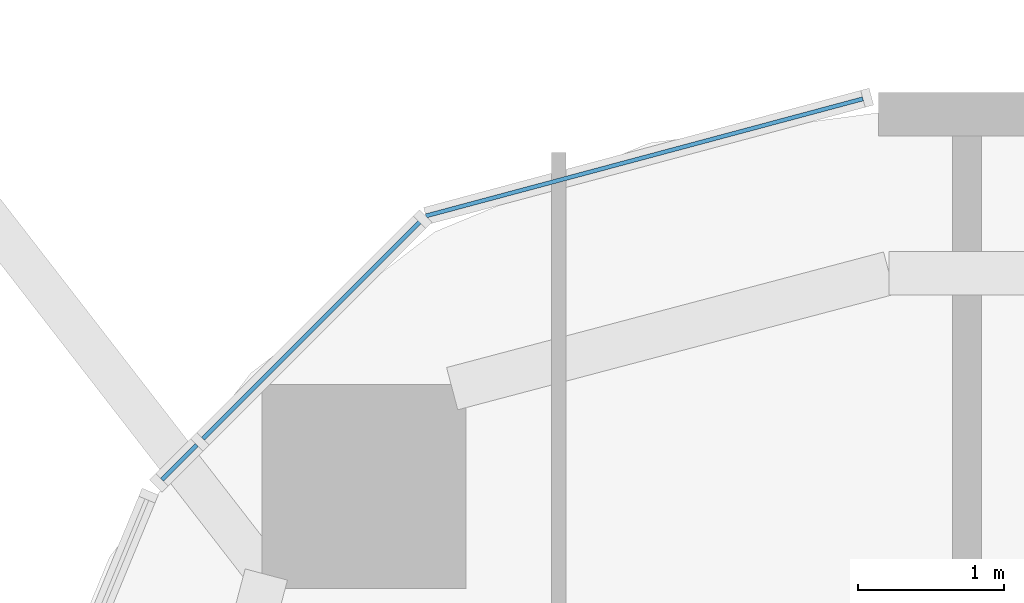
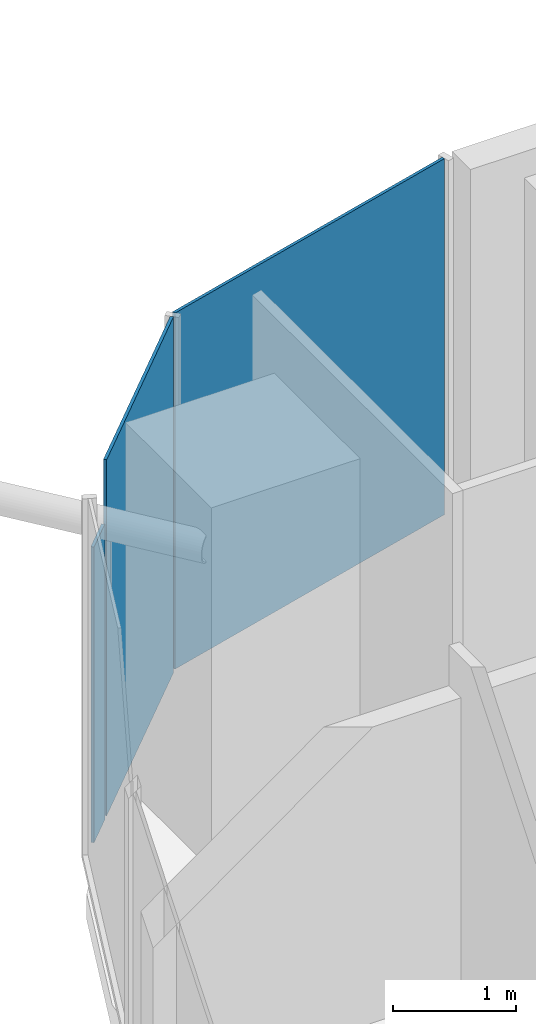
# One storey, part 18 of 28: 3 plates, 3 elements without a shape of their own.
"""IFC4 building model written with IfcOpenShell, lengths in metres."""

import ifcopenshell
import ifcopenshell.guid

model = None  # the IFC model being written
_history = None  # IfcOwnerHistory: only IFC2X3 demands one
_inside = {}  # id of a spatial element -> (the spatial element, [elements in it])
_under = {}  # id of a project, library or spatial element -> (it, [spatial elements below it])
_declared = {}  # id of a project -> (the project, [libraries it declares])
_typed = {}  # id of a type object -> (the type object, [elements of that type])
_made_of = {}  # id of a material, layer set ... -> (it, [elements and type objects made of it])


def new_model(schema):
    """Start an empty IFC model of exactly this schema.

    Asked for "IFC4X3", IfcOpenShell would pick the latest addendum, in which some entities
    have other attributes; the version numbers below select the first issue.
    IFC2X3 requires an IfcOwnerHistory on every rooted entity: one is made here for all.
    """
    global model, _history
    if schema == "IFC4X3":
        model = ifcopenshell.file(schema_version=(4, 3, 0, 0))
    else:
        model = ifcopenshell.file(schema=schema)
    _inside.clear()
    _under.clear()
    _declared.clear()
    _typed.clear()
    _made_of.clear()
    _history = None
    if model.schema == "IFC2X3":
        org = make("IfcOrganization", Name="unknown")
        user = make(
            "IfcPersonAndOrganization",
            ThePerson=make("IfcPerson", FamilyName="unknown"),
            TheOrganization=org,
        )
        app = make(
            "IfcApplication",
            ApplicationDeveloper=org,
            Version="unknown",
            ApplicationFullName="unknown",
            ApplicationIdentifier="unknown",
        )
        _history = make(
            "IfcOwnerHistory",
            OwningUser=user,
            OwningApplication=app,
            ChangeAction="ADDED",
            CreationDate=0,
        )
    return model


def make(cls, **values):
    """One entity of the class cls with the attributes given. An attribute that is None is left unset."""
    return model.create_entity(
        cls, **{name: value for name, value in values.items() if value is not None}
    )


def rooted(cls, **values):
    """An entity with a GlobalId (a new one), such as an element, a storey or a relation."""
    return make(cls, GlobalId=ifcopenshell.guid.new(), OwnerHistory=_history, **values)


def si_unit(unit_type, name, prefix=None):
    """IfcSIUnit, for example si_unit("LENGTHUNIT", "METRE", prefix="MILLI")."""
    return make("IfcSIUnit", UnitType=unit_type, Prefix=prefix, Name=name)


def assignment(units):
    """IfcUnitAssignment: the units of a project."""
    return None if units is None else make("IfcUnitAssignment", Units=units)


def point(xyz):
    """IfcCartesianPoint."""
    return None if xyz is None else make("IfcCartesianPoint", Coordinates=xyz)


def direction(xyz):
    """IfcDirection."""
    return None if xyz is None else make("IfcDirection", DirectionRatios=xyz)


def frame(location, z_axis=None, x_axis=None):
    """IfcAxis2Placement3D, a coordinate frame: its origin and axes. An axis left out is left unset."""
    return make(
        "IfcAxis2Placement3D",
        Location=point(location),
        Axis=direction(z_axis),
        RefDirection=direction(x_axis),
    )


def frame_2d(location, x_axis=None):
    """IfcAxis2Placement2D, a coordinate frame in the plane: its origin and x axis."""
    return make(
        "IfcAxis2Placement2D", Location=point(location), RefDirection=direction(x_axis)
    )


def origin():
    """The frame at (0, 0, 0) with its axes left unset."""
    return frame((0.0, 0.0, 0.0))


def origin_2d():
    """The frame at (0, 0) in the plane with its x axis left unset."""
    return frame_2d((0.0, 0.0))


def place(relative_to, where):
    """IfcLocalPlacement: puts the frame where relative to a parent placement (None: the world)."""
    return make(
        "IfcLocalPlacement", PlacementRelTo=relative_to, RelativePlacement=where
    )


def context(
    kind, dimensions, precision=None, world=None, true_north=None, identifier=None
):
    """IfcGeometricRepresentationContext, for example the 3D "Model" context."""
    return make(
        "IfcGeometricRepresentationContext",
        ContextIdentifier=identifier,
        ContextType=kind,
        CoordinateSpaceDimension=dimensions,
        Precision=precision,
        WorldCoordinateSystem=world,
        TrueNorth=true_north,
    )


def subcontext(parent, identifier, kind, view, scale=None):
    """IfcGeometricRepresentationSubContext, for example "Body" below "Model"."""
    return make(
        "IfcGeometricRepresentationSubContext",
        ContextIdentifier=identifier,
        ContextType=kind,
        ParentContext=parent,
        TargetScale=scale,
        TargetView=view,
    )


def project(units=None, contexts=None):
    """IfcProject with its units and contexts."""
    return rooted(
        "IfcProject",
        Name="project",
        RepresentationContexts=contexts,
        UnitsInContext=assignment(units),
    )


def spatial(cls, under=None, at=None, **own):
    """A site, building, storey or space (cls), placed at a placement, below another one or the project."""
    s = rooted(cls, ObjectPlacement=at, **own)
    if under is not None:
        _under.setdefault(under.id(), (under, []))[1].append(s)
    return s


def profile(cls, at=None, kind="AREA", **sizes):
    """A parametric profile (cls). Its sizes go by their IFC names, for example OverallWidth=200.0."""
    return make(cls, ProfileType=kind, Position=at, **sizes)


def rectangle(**sizes):
    """IfcRectangleProfileDef."""
    return profile("IfcRectangleProfileDef", **sizes)


def extrude(swept, where, along, depth):
    """IfcExtrudedAreaSolid: the profile swept, set in the frame where, extruded along a direction by depth."""
    return make(
        "IfcExtrudedAreaSolid",
        SweptArea=swept,
        Position=where,
        ExtrudedDirection=direction(along),
        Depth=depth,
    )


def shape(context_of_items, identifier, shape_type, items):
    """IfcShapeRepresentation: the items that make up one representation, for example the "Body"."""
    return make(
        "IfcShapeRepresentation",
        ContextOfItems=context_of_items,
        RepresentationIdentifier=identifier,
        RepresentationType=shape_type,
        Items=items,
    )


def material(Name=None, Category=None):
    """IfcMaterial."""
    return make("IfcMaterial", Name=Name, Category=Category)


def layer(
    of_material, thickness, ventilated=None, Name=None, Category=None, Priority=None
):
    """IfcMaterialLayer: one layer of a wall or slab, of a material (None: an air gap)."""
    return make(
        "IfcMaterialLayer",
        Material=of_material,
        LayerThickness=thickness,
        IsVentilated=ventilated,
        Name=Name,
        Category=Category,
        Priority=Priority,
    )


def layer_set(layers, Name=None):
    """IfcMaterialLayerSet."""
    return make("IfcMaterialLayerSet", MaterialLayers=layers, LayerSetName=Name)


def made_of(thing, what):
    """Note that an element or type object is made of a material, layer set ...; save() writes the relation."""
    if what is not None:
        _made_of.setdefault(what.id(), (what, []))[1].append(thing)
    return thing


def type_object(cls, material=None, **own):
    """A type object (cls), such as IfcWallType, which elements share."""
    return made_of(rooted(cls, **own), material)


def element(
    cls,
    number,
    at=None,
    inside=None,
    cuts=None,
    type_object=None,
    material=None,
    context=None,
    identifier="Body",
    shape_type=None,
    held_by="IfcProductDefinitionShape",
    body=None,
    shapes=None,
    **own,
):
    """One element of the class cls, such as IfcWall. Its Tag is "e" and its number.

    at: its placement. inside: the storey or other place that contains it. cuts: it is an
    opening in that element (IfcRelVoidsElement). A single representation is given by context,
    identifier, shape_type and body (its items); several are given by shapes. held_by: the class
    of the entity that holds the representations. save() writes the other relations.
    """
    e = rooted(cls, Tag="e%d" % number, ObjectPlacement=at, **own)
    if body is not None:
        shapes = [shape(context, identifier, shape_type, body)]
    if shapes is not None:
        e.Representation = make(held_by, Representations=shapes)
    if inside is not None:
        _inside.setdefault(inside.id(), (inside, []))[1].append(e)
    if cuts is not None:
        rooted(
            "IfcRelVoidsElement", RelatingBuildingElement=cuts, RelatedOpeningElement=e
        )
    if type_object is not None:
        _typed.setdefault(type_object.id(), (type_object, []))[1].append(e)
    return made_of(e, material)


def aggregate(whole, parts):
    """IfcRelAggregates: a whole, such as a stair, and the parts it consists of."""
    return rooted("IfcRelAggregates", RelatingObject=whole, RelatedObjects=parts)


def save(model, path):
    """Write the relations noted so far, then the file.

    IfcRelAggregates (storeys below a building ...), IfcRelContainedInSpatialStructure (elements
    in a storey), IfcRelDefinesByType, IfcRelAssociatesMaterial and IfcRelDeclares: one each for
    every whole, place, type object, material and project.
    """
    for whole, parts in _under.values():
        aggregate(whole, parts)
    for where, things in _inside.values():
        rooted(
            "IfcRelContainedInSpatialStructure",
            RelatedElements=things,
            RelatingStructure=where,
        )
    for kind, things in _typed.values():
        rooted("IfcRelDefinesByType", RelatedObjects=things, RelatingType=kind)
    for what, things in _made_of.values():
        rooted("IfcRelAssociatesMaterial", RelatedObjects=things, RelatingMaterial=what)
    for by, libraries in _declared.values():
        rooted("IfcRelDeclares", RelatingContext=by, RelatedDefinitions=libraries)
    model.write(path)


model = new_model("IFC4")

# Units and contexts
model_context = context("Model", 3, precision=1e-05, world=origin(), true_north=direction((0.0, 1.0)))
body_context = subcontext(model_context, "Body", "Model", "MODEL_VIEW")
ifc_project = project(units=[si_unit("LENGTHUNIT", "METRE"), si_unit("AREAUNIT", "SQUARE_METRE"), si_unit("VOLUMEUNIT", "CUBIC_METRE"), si_unit("PLANEANGLEUNIT", "RADIAN"), si_unit("MASSUNIT", "GRAM", prefix="KILO")], contexts=[model_context])

# Site, building, storey
site_placement = place(None, origin())
site = spatial("IfcSite", under=ifc_project, at=site_placement, CompositionType="ELEMENT")
building_placement = place(site_placement, origin())
building = spatial("IfcBuilding", under=site, at=building_placement, Name="Marenta Gate Hotel Tower", CompositionType="ELEMENT")
storey_placement = place(building_placement, frame((0.0, 0.0, 227.300048828125)))
storey = spatial("IfcBuildingStorey", under=building, at=storey_placement, Name="L53", CompositionType="ELEMENT", Elevation=227.300048828125)

# Curtain wall, plate
ifc_material_1 = material(Name="Tinted insulated glass in bronze anodised frame", Category="glass")
ifc_layer_1 = layer(ifc_material_1, 0.1201171875)
ifc_layer_set_1 = layer_set([ifc_layer_1], Name="Tinted insulated glass in bronze anodised frame")
curtain_wall_type = type_object("IfcCurtainWallType", Name="Tower unitised curtain wall CW1", PredefinedType="NOTDEFINED", material=ifc_layer_set_1)
curtain_wall_1_placement = place(storey_placement, origin())
curtain_wall_1 = element("IfcCurtainWall", 1, at=curtain_wall_1_placement, inside=storey, type_object=curtain_wall_type, Name="CW1 run G00", PredefinedType="NOTDEFINED")
ifc_material_2 = material(Name="Tinted insulated glass", Category="glass")
ifc_layer_2 = layer(ifc_material_2, 0.028076171875)
ifc_layer_set_2 = layer_set([ifc_layer_2], Name="Tinted insulated glass")
plate_type = type_object("IfcPlateType", Name="Glass panel CW1 28 mm tinted insulated unit", PredefinedType="CURTAIN_PANEL", material=ifc_layer_set_2)
plate_1_placement = place(storey_placement, frame((-20.813720703125, 22.19384765625, 0.059814453125), z_axis=(0.0, 0.0, 1.0), x_axis=(-0.965930559685, -0.258801379183, 0.0)))
plate_1 = element("IfcPlate", 2, at=plate_1_placement, type_object=plate_type, Name="CW1 panel 1.1", PredefinedType="CURTAIN_PANEL", context=body_context, shape_type="SweptSolid", body=[
    extrude(rectangle(XDim=3.104248046875, YDim=0.028076171875, at=origin_2d()), origin(), (0.0, 0.0, 1.0), 3.5400390625),
])
aggregate(curtain_wall_1, [plate_1])

curtain_wall_2_placement = place(storey_placement, origin())
curtain_wall_2 = element("IfcCurtainWall", 3, at=curtain_wall_2_placement, inside=storey, type_object=curtain_wall_type, Name="CW1 run G01", PredefinedType="NOTDEFINED")
plate_2_placement = place(storey_placement, frame((-23.0986328125, 21.00634765625, 0.059814453125), z_axis=(0.0, 0.0, 1.0), x_axis=(-0.707106781187, -0.707106781187, 0.0)))
plate_2 = element("IfcPlate", 4, at=plate_2_placement, type_object=plate_type, Name="CW1 panel 1.1", PredefinedType="CURTAIN_PANEL", context=body_context, shape_type="SweptSolid", body=[
    extrude(rectangle(XDim=2.1025390625, YDim=0.028076171875, at=origin_2d()), origin(), (0.0, 0.0, 1.0), 3.5400390625),
])
aggregate(curtain_wall_2, [plate_2])

curtain_wall_3_placement = place(storey_placement, origin())
curtain_wall_3 = element("IfcCurtainWall", 5, at=curtain_wall_3_placement, inside=storey, type_object=curtain_wall_type, Name="CW1 run G02", PredefinedType="NOTDEFINED")
plate_3_placement = place(storey_placement, frame((-24.003662109375, 20.1015625, 0.06005859375), z_axis=(0.0, 0.0, 1.0), x_axis=(-0.707106781187, -0.707106781187, 0.0)))
plate_3 = element("IfcPlate", 6, at=plate_3_placement, type_object=plate_type, Name="CW1 panel 1.1", PredefinedType="CURTAIN_PANEL", context=body_context, shape_type="SweptSolid", body=[
    extrude(rectangle(XDim=0.336669921875, YDim=0.028076171875, at=origin_2d()), origin(), (0.0, 0.0, 1.0), 2.9404296875),
])
aggregate(curtain_wall_3, [plate_3])

save(model, "model.ifc")
